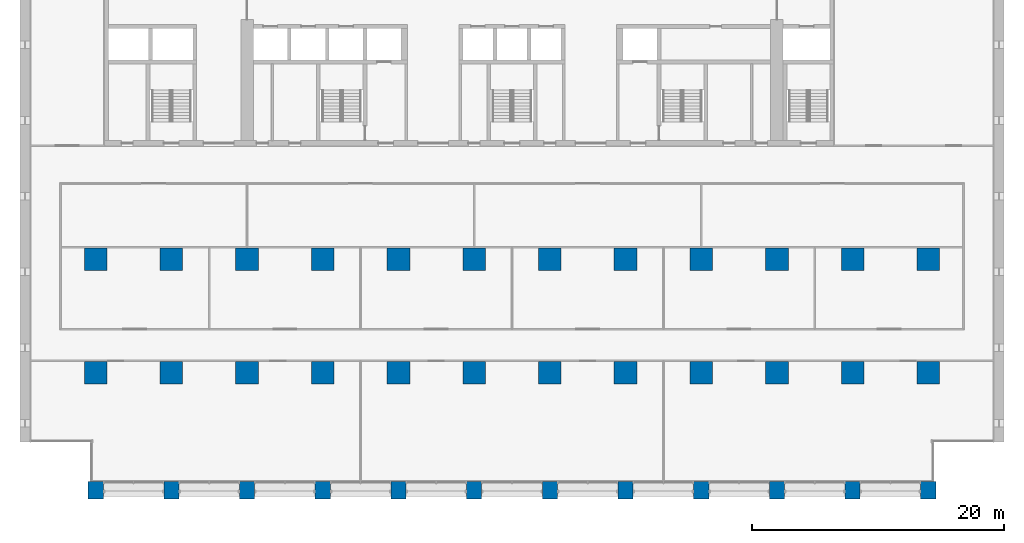
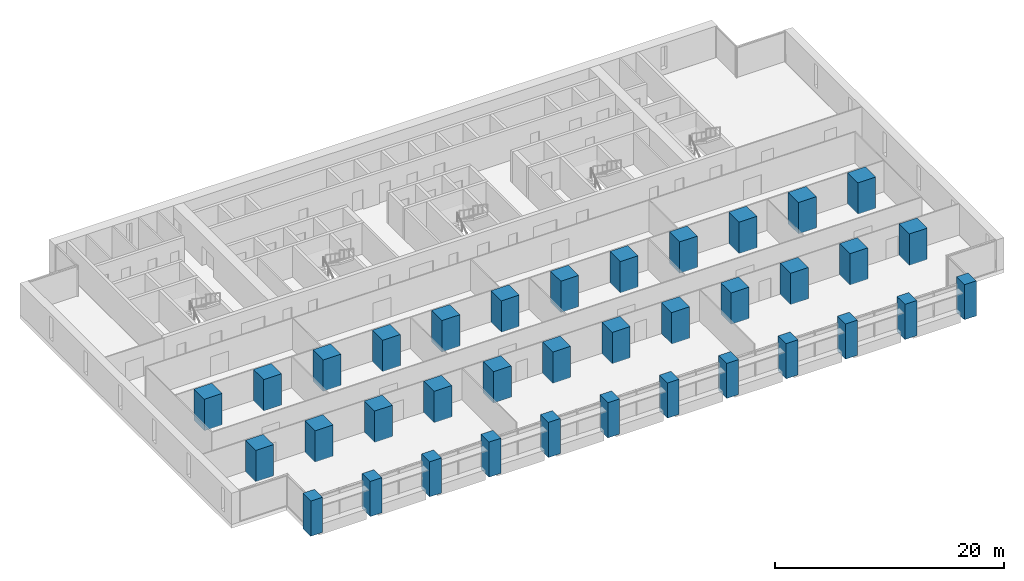
# One storey, part 1 of 18: 36 columns.
"""IFC4 building model written with IfcOpenShell, lengths in metres."""

from ifc_helpers import new_model, si_unit, direction, frame, origin, origin_2d, place, context, subcontext, project, spatial, rectangle, extrude, material, material_profile, profile_set, type_object, element, save


model = new_model("IFC4")

# Units and contexts
model_context = context("Model", 3, precision=1e-05, world=origin(), true_north=direction((0.0, 1.0)))
body_context = subcontext(model_context, "Body", "Model", "MODEL_VIEW")
ifc_project = project(units=[si_unit("LENGTHUNIT", "METRE"), si_unit("AREAUNIT", "SQUARE_METRE"), si_unit("VOLUMEUNIT", "CUBIC_METRE"), si_unit("PLANEANGLEUNIT", "RADIAN"), si_unit("MASSUNIT", "GRAM", prefix="KILO")], contexts=[model_context])

# Site, building, storey
site_placement = place(None, origin())
site = spatial("IfcSite", under=ifc_project, at=site_placement, CompositionType="ELEMENT")
building_placement = place(site_placement, origin())
building = spatial("IfcBuilding", under=site, at=building_placement, Name="Calvaro Tower", CompositionType="ELEMENT")
storey_placement = place(building_placement, frame((0.0, 0.0, 33.75)))
storey = spatial("IfcBuildingStorey", under=building, at=storey_placement, Name="L07", CompositionType="ELEMENT", Elevation=33.75)

# Columns
ifc_material_1 = material(Name="Concrete C80/95", Category="concrete")
ifc_material_profile_1 = material_profile(ifc_material_1, rectangle(XDim=1.800048828125, YDim=1.800048828125, at=origin_2d()), Name="RC 1800x1800")
ifc_profile_set_1 = profile_set([ifc_material_profile_1], Name="Concrete C80/95")
column_type_1 = type_object("IfcColumnType", Name="Column 1800x1800 C80/95", PredefinedType="COLUMN", material=ifc_profile_set_1)
for number, where, z_axis, x_axis, name in (
    (1, (6.0, 10.0, 0.0), (0.0, 0.0, 1.0), (1.0, 0.0, 0.0), "Column 2B"),
    (2, (6.0, 19.0, 0.0), (0.0, 0.0, 1.0), (1.0, 0.0, 0.0), "Column 2C"),
    (3, (12.0, 10.0, 0.0), (0.0, 0.0, 1.0), (1.0, 0.0, 0.0), "Column 3B"),
    (4, (12.0, 19.0, 0.0), (0.0, 0.0, 1.0), (1.0, 0.0, 0.0), "Column 3C"),
    (5, (18.0, 10.0, 0.0), (0.0, 0.0, 1.0), (1.0, 0.0, 0.0), "Column 4B"),
    (6, (18.0, 19.0, 0.0), (0.0, 0.0, 1.0), (1.0, 0.0, 0.0), "Column 4C"),
    (7, (24.0, 10.0, 0.0), (0.0, 0.0, 1.0), (1.0, 0.0, 0.0), "Column 5B"),
    (8, (24.0, 19.0, 0.0), (0.0, 0.0, 1.0), (1.0, 0.0, 0.0), "Column 5C"),
    (9, (30.0, 10.0, 0.0), (0.0, 0.0, 1.0), (1.0, 0.0, 0.0), "Column 6B"),
    (10, (30.0, 19.0, 0.0), (0.0, 0.0, 1.0), (1.0, 0.0, 0.0), "Column 6C"),
    (11, (36.0, 10.0, 0.0), (0.0, 0.0, 1.0), (1.0, 0.0, 0.0), "Column 7B"),
    (12, (36.0, 19.0, 0.0), (0.0, 0.0, 1.0), (1.0, 0.0, 0.0), "Column 7C"),
    (13, (42.0, 10.0, 0.0), (0.0, 0.0, 1.0), (1.0, 0.0, 0.0), "Column 8B"),
    (14, (42.0, 19.0, 0.0), (0.0, 0.0, 1.0), (1.0, 0.0, 0.0), "Column 8C"),
    (15, (48.0, 10.0, 0.0), (0.0, 0.0, 1.0), (1.0, 0.0, 0.0), "Column 9B"),
    (16, (48.0, 19.0, 0.0), (0.0, 0.0, 1.0), (1.0, 0.0, 0.0), "Column 9C"),
    (17, (54.0, 10.0, 0.0), (0.0, 0.0, 1.0), (1.0, 0.0, 0.0), "Column 10B"),
    (18, (54.0, 19.0, 0.0), (0.0, 0.0, 1.0), (1.0, 0.0, 0.0), "Column 10C"),
    (19, (60.0, 10.0, 0.0), (0.0, 0.0, 1.0), (1.0, 0.0, 0.0), "Column 11B"),
    (20, (60.0, 19.0, 0.0), (0.0, 0.0, 1.0), (1.0, 0.0, 0.0), "Column 11C"),
    (21, (66.0, 10.0, 0.0), (0.0, 0.0, 1.0), (1.0, 0.0, 0.0), "Column 12B"),
    (22, (66.0, 19.0, 0.0), (0.0, 0.0, 1.0), (1.0, 0.0, 0.0), "Column 12C"),
    (23, (72.0, 10.0, 0.0), (0.0, 0.0, 1.0), (1.0, 0.0, 0.0), "Column 13B"),
    (24, (72.0, 19.0, 0.0), (0.0, 0.0, 1.0), (1.0, 0.0, 0.0), "Column 13C"),
):
    element("IfcColumn", number, at=place(storey_placement, frame(where, z_axis=z_axis, x_axis=x_axis)), inside=storey, type_object=column_type_1, Name=name, PredefinedType="COLUMN", context=body_context, shape_type="SweptSolid", body=[
        extrude(rectangle(XDim=1.800048828125, YDim=1.800048828125, at=origin_2d()), origin(), (0.0, 0.0, 1.0), 3.35009765625),
    ])
ifc_material_2 = material(Name="Concrete C80/95", Category="concrete")
ifc_material_profile_2 = material_profile(ifc_material_2, rectangle(XDim=1.199951171875, YDim=1.39990234375, at=origin_2d()), Name="RC 1200x1400")
ifc_profile_set_2 = profile_set([ifc_material_profile_2], Name="Concrete C80/95")
column_type_2 = type_object("IfcColumnType", Name="Pier 1200x1400 C80/95", PredefinedType="COLUMN", material=ifc_profile_set_2)
for number, where, z_axis, x_axis, name in (
    (25, (6.0, 0.699951171875, -0.39990234375), (0.0, 0.0, 1.0), (1.0, 0.0, 0.0), "South pier 2"),
    (26, (12.0, 0.699951171875, -0.39990234375), (0.0, 0.0, 1.0), (1.0, 0.0, 0.0), "South pier 3"),
    (27, (18.0, 0.699951171875, -0.39990234375), (0.0, 0.0, 1.0), (1.0, 0.0, 0.0), "South pier 4"),
    (28, (24.0, 0.699951171875, -0.39990234375), (0.0, 0.0, 1.0), (1.0, 0.0, 0.0), "South pier 5"),
    (29, (30.0, 0.699951171875, -0.39990234375), (0.0, 0.0, 1.0), (1.0, 0.0, 0.0), "South pier 6"),
    (30, (36.0, 0.699951171875, -0.39990234375), (0.0, 0.0, 1.0), (1.0, 0.0, 0.0), "South pier 7"),
    (31, (42.0, 0.699951171875, -0.39990234375), (0.0, 0.0, 1.0), (1.0, 0.0, 0.0), "South pier 8"),
    (32, (48.0, 0.699951171875, -0.39990234375), (0.0, 0.0, 1.0), (1.0, 0.0, 0.0), "South pier 9"),
    (33, (54.0, 0.699951171875, -0.39990234375), (0.0, 0.0, 1.0), (1.0, 0.0, 0.0), "South pier 10"),
    (34, (60.0, 0.699951171875, -0.39990234375), (0.0, 0.0, 1.0), (1.0, 0.0, 0.0), "South pier 11"),
    (35, (66.0, 0.699951171875, -0.39990234375), (0.0, 0.0, 1.0), (1.0, 0.0, 0.0), "South pier 12"),
    (36, (72.0, 0.699951171875, -0.39990234375), (0.0, 0.0, 1.0), (1.0, 0.0, 0.0), "South pier 13"),
):
    element("IfcColumn", number, at=place(storey_placement, frame(where, z_axis=z_axis, x_axis=x_axis)), inside=storey, type_object=column_type_2, Name=name, PredefinedType="COLUMN", context=body_context, shape_type="SweptSolid", body=[
        extrude(rectangle(XDim=1.199951171875, YDim=1.39990234375, at=origin_2d()), origin(), (0.0, 0.0, 1.0), 3.75),
    ])

save(model, "model.ifc")
